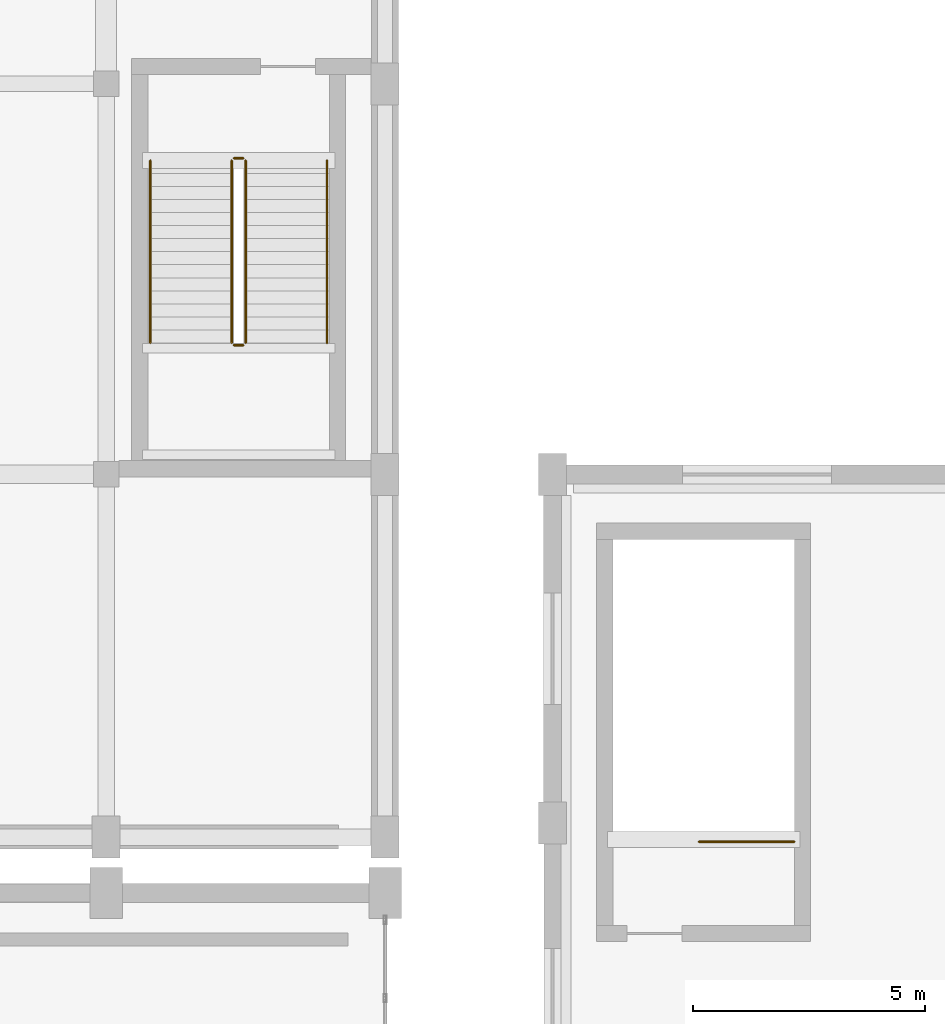
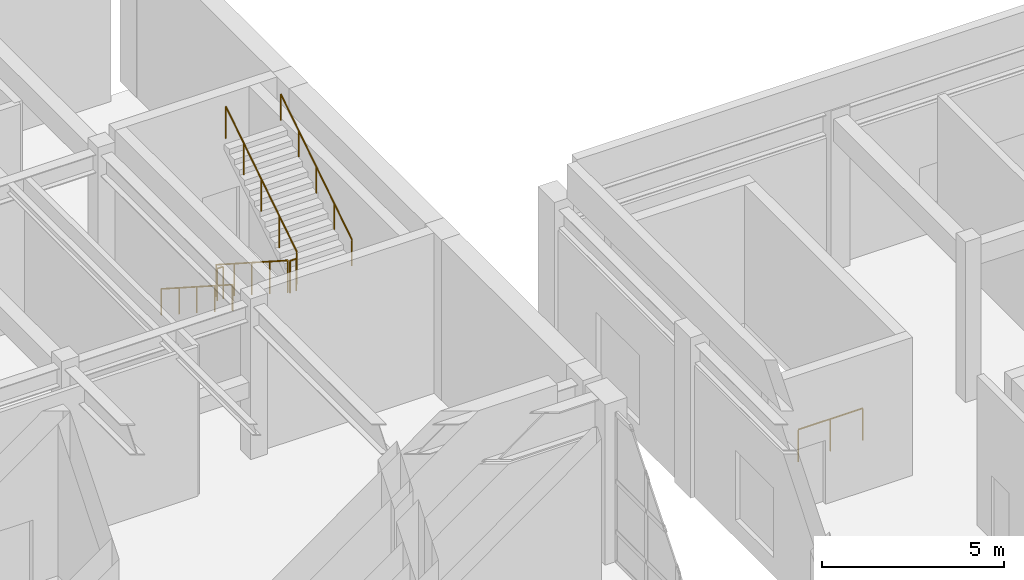
# One storey, part 41 of 41: 7 railings.
"""IFC4 building model written with IfcOpenShell, lengths in metres."""

from ifc_helpers import new_model, si_unit, direction, frame, origin, origin_2d, place, context, subcontext, project, spatial, circle, extrude, material, type_object, element, save


model = new_model("IFC4")

# Units and contexts
model_context = context("Model", 3, precision=1e-05, world=origin(), true_north=direction((0.0, 1.0)))
body_context = subcontext(model_context, "Body", "Model", "MODEL_VIEW")
ifc_project = project(units=[si_unit("LENGTHUNIT", "METRE"), si_unit("AREAUNIT", "SQUARE_METRE"), si_unit("VOLUMEUNIT", "CUBIC_METRE"), si_unit("PLANEANGLEUNIT", "RADIAN"), si_unit("MASSUNIT", "GRAM", prefix="KILO")], contexts=[model_context])

# Site, building, storey
site_placement = place(None, origin())
site = spatial("IfcSite", under=ifc_project, at=site_placement, CompositionType="ELEMENT")
building_placement = place(site_placement, origin())
building = spatial("IfcBuilding", under=site, at=building_placement, Name="Vaelkrest Opera House", CompositionType="ELEMENT")
storey_placement = place(building_placement, frame((0.0, 0.0, 24.60009765625)))
storey = spatial("IfcBuildingStorey", under=building, at=storey_placement, Name="L05", CompositionType="ELEMENT", Elevation=24.60009765625)

# Railings
ifc_material = material(Name="Dark bronze anodized aluminium", Category="aluminium")
railing_type_1 = type_object("IfcRailingType", Name="GR02", PredefinedType="GUARDRAIL", material=ifc_material)
railing_1_placement = place(storey_placement, frame((26.699951171875, 31.949951171875, 0.179931640625)))
element("IfcRailing", 1, at=railing_1_placement, inside=storey, type_object=railing_type_1, Name="L05 ST06 stair guard 1", PredefinedType="GUARDRAIL", context=body_context, shape_type="SweptSolid", body=[
    extrude(circle(Radius=0.02392578125, at=origin_2d()), frame((0.0, 0.0, 1.076171875), z_axis=(0.0, -0.841171666519, 0.540768182723), x_axis=(1.0, 0.0, 0.0)), (0.0, 0.0, 1.0), 4.66015625),
    extrude(circle(Radius=0.02099609375, at=origin_2d()), origin(), (0.0, 0.0, 1.0), 1.052001953125),
    extrude(circle(Radius=0.02099609375, at=origin_2d()), frame((0.0, -0.97998046875, 0.6298828125)), (0.0, 0.0, 1.0), 1.052001953125),
    extrude(circle(Radius=0.02099609375, at=origin_2d()), frame((0.0, -1.9599609375, 1.260009765625)), (0.0, 0.0, 1.0), 1.052001953125),
    extrude(circle(Radius=0.02099609375, at=origin_2d()), frame((0.0, -2.93994140625, 1.89013671875)), (0.0, 0.0, 1.0), 1.052001953125),
    extrude(circle(Radius=0.02099609375, at=origin_2d()), frame((0.0, -3.919921875, 2.52001953125)), (0.0, 0.0, 1.0), 1.052001953125),
])
railing_2_placement = place(storey_placement, frame((26.75, 27.97998046875, 2.699951171875)))
element("IfcRailing", 2, at=railing_2_placement, inside=storey, type_object=railing_type_1, Name="L05 ST06 stair guard 2", PredefinedType="GUARDRAIL", context=body_context, shape_type="SweptSolid", body=[
    extrude(circle(Radius=0.02392578125, at=origin_2d()), frame((0.0, 0.0, 1.076171875), z_axis=(1.0, 0.0, 0.0), x_axis=(0.0, 1.0, 0.0)), (0.0, 0.0, 1.0), 0.199951171875),
    extrude(circle(Radius=0.02099609375, at=origin_2d()), origin(), (0.0, 0.0, 1.0), 1.052001953125),
    extrude(circle(Radius=0.02099609375, at=origin_2d()), frame((0.199951171875, 0.0, 0.0)), (0.0, 0.0, 1.0), 1.052001953125),
])
railing_3_placement = place(storey_placement, frame((27.0, 28.030029296875, 2.8798828125)))
element("IfcRailing", 3, at=railing_3_placement, inside=storey, type_object=railing_type_1, Name="L05 ST06 stair guard 3", PredefinedType="GUARDRAIL", context=body_context, shape_type="SweptSolid", body=[
    extrude(circle(Radius=0.02392578125, at=origin_2d()), frame((0.0, 0.0, 1.076171875), z_axis=(0.0, 0.841171666519, 0.540768182723), x_axis=(-1.0, 0.0, 0.0)), (0.0, 0.0, 1.0), 4.66015625),
    extrude(circle(Radius=0.02099609375, at=origin_2d()), origin(), (0.0, 0.0, 1.0), 1.052001953125),
    extrude(circle(Radius=0.02099609375, at=origin_2d()), frame((0.0, 0.97998046875, 0.6298828125)), (0.0, 0.0, 1.0), 1.052001953125),
    extrude(circle(Radius=0.02099609375, at=origin_2d()), frame((0.0, 1.9599609375, 1.260009765625)), (0.0, 0.0, 1.0), 1.052001953125),
    extrude(circle(Radius=0.02099609375, at=origin_2d()), frame((0.0, 2.93994140625, 1.89013671875)), (0.0, 0.0, 1.0), 1.052001953125),
    extrude(circle(Radius=0.02099609375, at=origin_2d()), frame((0.0, 3.919921875, 2.52001953125)), (0.0, 0.0, 1.0), 1.052001953125),
])
railing_4_placement = place(storey_placement, frame((26.75, 32.0, 0.0)))
element("IfcRailing", 4, at=railing_4_placement, inside=storey, type_object=railing_type_1, Name="L05 ST06 stair guard 4", PredefinedType="GUARDRAIL", context=body_context, shape_type="SweptSolid", body=[
    extrude(circle(Radius=0.02392578125, at=origin_2d()), frame((0.0, 0.0, 1.076171875), z_axis=(1.0, 0.0, 0.0), x_axis=(0.0, 1.0, 0.0)), (0.0, 0.0, 1.0), 0.199951171875),
    extrude(circle(Radius=0.02099609375, at=origin_2d()), origin(), (0.0, 0.0, 1.0), 1.052001953125),
    extrude(circle(Radius=0.02099609375, at=origin_2d()), frame((0.199951171875, 0.0, 0.0)), (0.0, 0.0, 1.0), 1.052001953125),
])
railing_5_placement = place(storey_placement, frame((38.800048828125, 17.300048828125, 0.0)))
element("IfcRailing", 5, at=railing_5_placement, inside=storey, type_object=railing_type_1, Name="L05 ST09 top well guard 1", PredefinedType="GUARDRAIL", context=body_context, shape_type="SweptSolid", body=[
    extrude(circle(Radius=0.02392578125, at=origin_2d()), frame((0.0, 0.0, 1.076171875), z_axis=(-1.0, 0.0, 0.0), x_axis=(0.0, -1.0, 0.0)), (0.0, 0.0, 1.0), 2.050048828125),
    extrude(circle(Radius=0.02099609375, at=origin_2d()), origin(), (0.0, 0.0, 1.0), 1.052001953125),
    extrude(circle(Radius=0.02099609375, at=origin_2d()), frame((-1.02490234375, 0.0, 0.0)), (0.0, 0.0, 1.0), 1.052001953125),
    extrude(circle(Radius=0.02099609375, at=origin_2d()), frame((-2.050048828125, 0.0, 0.0)), (0.0, 0.0, 1.0), 1.052001953125),
])
railing_type_2 = type_object("IfcRailingType", Name="HR02", PredefinedType="HANDRAIL", material=ifc_material)
railing_6_placement = place(storey_placement, frame((24.949951171875, 31.949951171875, 0.179931640625)))
element("IfcRailing", 6, at=railing_6_placement, inside=storey, type_object=railing_type_2, Name="L05 ST06 stair handrail 1", PredefinedType="HANDRAIL", context=body_context, shape_type="SweptSolid", body=[
    extrude(circle(Radius=0.02392578125, at=origin_2d()), frame((0.0, 0.0, 0.8759765625), z_axis=(0.0, -0.841171666519, 0.540768182723), x_axis=(1.0, 0.0, 0.0)), (0.0, 0.0, 1.0), 4.66015625),
    extrude(circle(Radius=0.02099609375, at=origin_2d()), origin(), (0.0, 0.0, 1.0), 0.851806640625),
    extrude(circle(Radius=0.02099609375, at=origin_2d()), frame((0.0, -0.97998046875, 0.6298828125)), (0.0, 0.0, 1.0), 0.851806640625),
    extrude(circle(Radius=0.02099609375, at=origin_2d()), frame((0.0, -1.9599609375, 1.260009765625)), (0.0, 0.0, 1.0), 0.851806640625),
    extrude(circle(Radius=0.02099609375, at=origin_2d()), frame((0.0, -2.93994140625, 1.89013671875)), (0.0, 0.0, 1.0), 0.851806640625),
    extrude(circle(Radius=0.02099609375, at=origin_2d()), frame((0.0, -3.919921875, 2.52001953125)), (0.0, 0.0, 1.0), 0.851806640625),
])
railing_7_placement = place(storey_placement, frame((28.75, 28.030029296875, 2.8798828125)))
element("IfcRailing", 7, at=railing_7_placement, inside=storey, type_object=railing_type_2, Name="L05 ST06 stair handrail 2", PredefinedType="HANDRAIL", context=body_context, shape_type="SweptSolid", body=[
    extrude(circle(Radius=0.02392578125, at=origin_2d()), frame((0.0, 0.0, 0.8759765625), z_axis=(0.0, 0.841171666519, 0.540768182723), x_axis=(-1.0, 0.0, 0.0)), (0.0, 0.0, 1.0), 4.66015625),
    extrude(circle(Radius=0.02099609375, at=origin_2d()), origin(), (0.0, 0.0, 1.0), 0.851806640625),
    extrude(circle(Radius=0.02099609375, at=origin_2d()), frame((0.0, 0.97998046875, 0.6298828125)), (0.0, 0.0, 1.0), 0.851806640625),
    extrude(circle(Radius=0.02099609375, at=origin_2d()), frame((0.0, 1.9599609375, 1.260009765625)), (0.0, 0.0, 1.0), 0.851806640625),
    extrude(circle(Radius=0.02099609375, at=origin_2d()), frame((0.0, 2.93994140625, 1.89013671875)), (0.0, 0.0, 1.0), 0.851806640625),
    extrude(circle(Radius=0.02099609375, at=origin_2d()), frame((0.0, 3.919921875, 2.52001953125)), (0.0, 0.0, 1.0), 0.851806640625),
])

save(model, "model.ifc")
